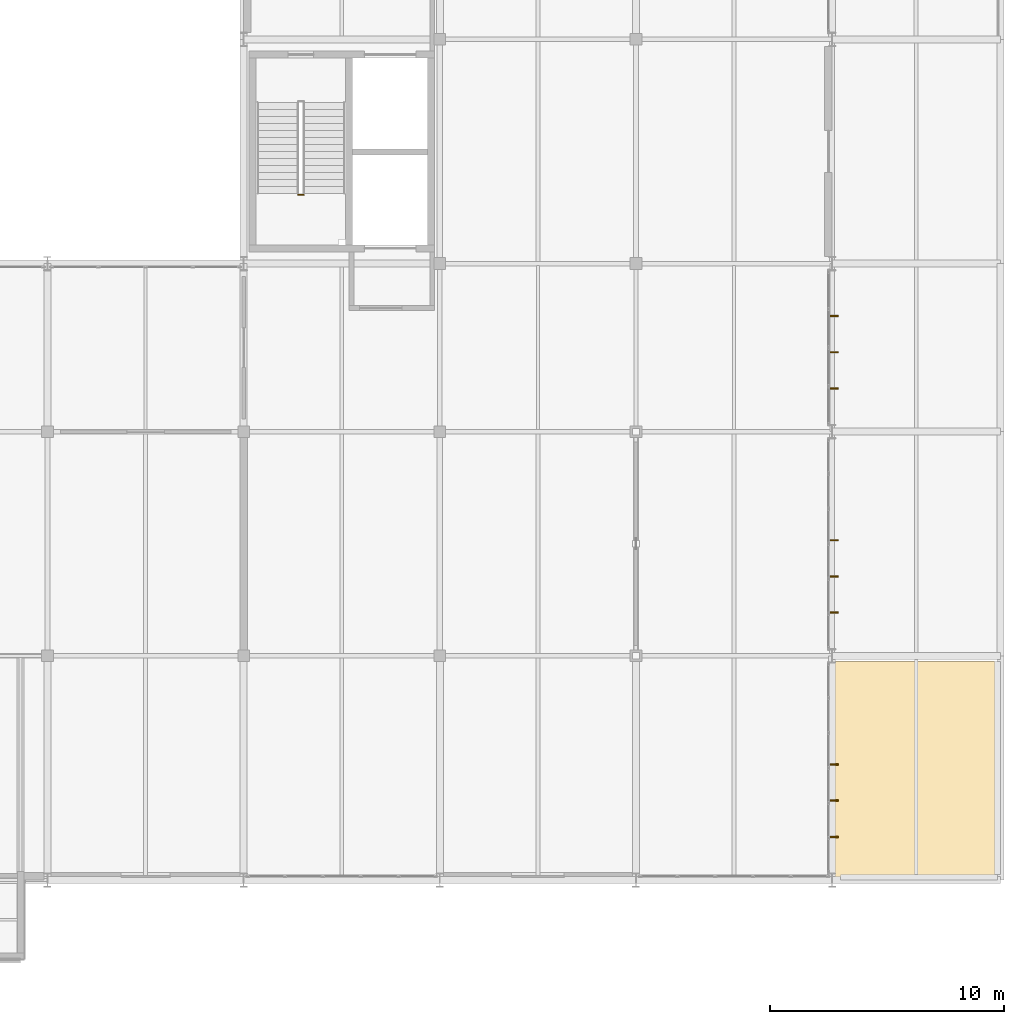
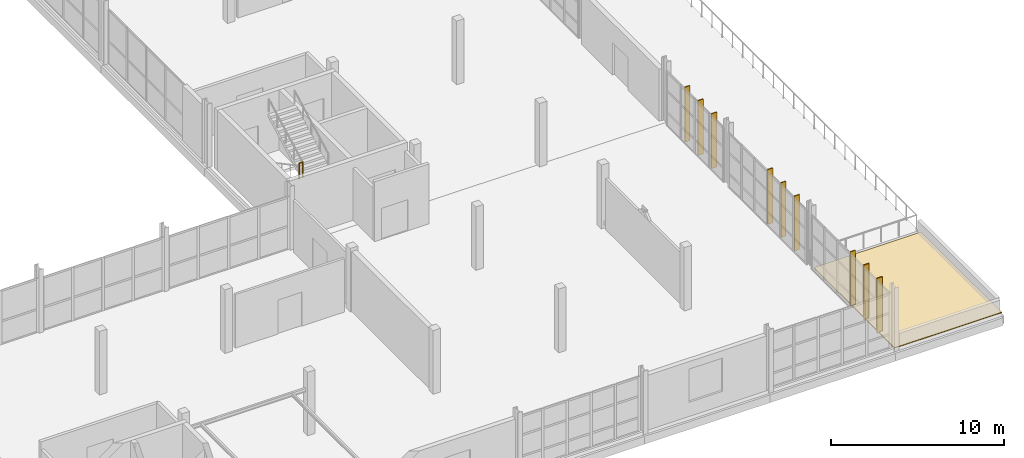
# One storey, part 106 of 109: 9 shading devices, 1 covering, 1 railing.
"""IFC4 building model written with IfcOpenShell, lengths in metres."""

from ifc_helpers import new_model, si_unit, direction, frame, origin, origin_2d, place, context, subcontext, project, spatial, polyline, rectangle, circle, outline, extrude, material, layer, layer_set, type_object, element, save


model = new_model("IFC4")

# Units and contexts
model_context = context("Model", 3, precision=1e-05, world=origin(), true_north=direction((0.0, 1.0)))
body_context = subcontext(model_context, "Body", "Model", "MODEL_VIEW")
ifc_project = project(units=[si_unit("LENGTHUNIT", "METRE"), si_unit("AREAUNIT", "SQUARE_METRE"), si_unit("VOLUMEUNIT", "CUBIC_METRE"), si_unit("PLANEANGLEUNIT", "RADIAN"), si_unit("MASSUNIT", "GRAM", prefix="KILO")], contexts=[model_context])

# Site, building, storey
site_placement = place(None, origin())
site = spatial("IfcSite", under=ifc_project, at=site_placement, CompositionType="ELEMENT")
building_placement = place(site_placement, origin())
building = spatial("IfcBuilding", under=site, at=building_placement, Name="Veltarok Museum of Natural Sciences", CompositionType="ELEMENT")
storey_placement = place(building_placement, frame((0.0, 0.0, 17.39990234375)))
storey = spatial("IfcBuildingStorey", under=building, at=storey_placement, Name="L03", CompositionType="ELEMENT", Elevation=17.39990234375)

# Covering
ifc_material_1 = material(Name="EPDM waterproofing membrane")
ifc_layer = layer(ifc_material_1, 0.06005859375)
ifc_layer_set = layer_set([ifc_layer], Name="EPDM waterproofing membrane")
covering_type = type_object("IfcCoveringType", Name="EPDM Waterproofing and Acoustic Roof Membrane 60", PredefinedType="ROOFING", material=ifc_layer_set)
covering_placement = place(storey_placement, origin())
element("IfcCovering", 1, at=covering_placement, inside=storey, type_object=covering_type, Name="Roof Waterproofing RF-V5SE", PredefinedType="ROOFING", context=body_context, shape_type="SweptSolid", body=[
    extrude(outline(polyline([(157.6201171875, 0.0), (157.6201171875, 9.35009765625), (164.800048828125, 9.35009765625), (164.800048828125, 0.0), (157.6201171875, 0.0)])), origin(), (0.0, 0.0, 1.0), 0.06005859375),
])

# Railing
ifc_material_2 = material(Name="Steel S355J2", Category="steel")
railing_type = type_object("IfcRailingType", Name="Interior Atrium and Stairwell Guardrail 1100", PredefinedType="GUARDRAIL", material=ifc_material_2)
railing_placement = place(storey_placement, frame((134.72998046875, 29.340087890625, 2.25)))
element("IfcRailing", 2, at=railing_placement, inside=storey, type_object=railing_type, Name="Landing Well Guard ST-05-L03-L1", PredefinedType="GUARDRAIL", context=body_context, shape_type="SweptSolid", body=[
    extrude(circle(Radius=0.02392578125, at=origin_2d()), frame((0.0, 0.0, 1.076171875), z_axis=(1.0, 0.0, 0.0), x_axis=(0.0, 1.0, 0.0)), (0.0, 0.0, 1.0), 0.239990234375),
    extrude(circle(Radius=0.02099609375, at=origin_2d()), origin(), (0.0, 0.0, 1.0), 1.052001953125),
    extrude(circle(Radius=0.02099609375, at=origin_2d()), frame((0.239990234375, 0.0, 0.0)), (0.0, 0.0, 1.0), 1.052001953125),
])

# Shading devices
ifc_material_3 = material(Name="Thermally broken anodised aluminium", Category="aluminium")
shading_device_type = type_object("IfcShadingDeviceType", Name="Vertical Anodised Aluminium Solar Shading Fin 350", PredefinedType="JALOUSIE", material=ifc_material_3)
for number, where, z_axis, x_axis, name in (
    (3, (157.68994140625, 1.85009765625, 0.000244140625), (0.0, 0.0, 1.0), (1.0, 0.0, 0.0), "Solar Shading Fin L03 52"),
    (4, (157.68994140625, 3.39990234375, 0.000244140625), (0.0, 0.0, 1.0), (1.0, 0.0, 0.0), "Solar Shading Fin L03 53"),
    (5, (157.68994140625, 4.949951171875, 0.000244140625), (0.0, 0.0, 1.0), (1.0, 0.0, 0.0), "Solar Shading Fin L03 54"),
    (6, (157.68994140625, 11.449951171875, 0.000244140625), (0.0, 0.0, 1.0), (1.0, 0.0, 0.0), "Solar Shading Fin L03 55"),
    (7, (157.68994140625, 13.0, 0.000244140625), (0.0, 0.0, 1.0), (1.0, 0.0, 0.0), "Solar Shading Fin L03 56"),
    (8, (157.68994140625, 14.550048828125, 0.000244140625), (0.0, 0.0, 1.0), (1.0, 0.0, 0.0), "Solar Shading Fin L03 57"),
    (9, (157.68994140625, 21.050048828125, 0.000244140625), (0.0, 0.0, 1.0), (1.0, 0.0, 0.0), "Solar Shading Fin L03 58"),
    (10, (157.68994140625, 22.60009765625, 0.000244140625), (0.0, 0.0, 1.0), (1.0, 0.0, 0.0), "Solar Shading Fin L03 59"),
    (11, (157.68994140625, 24.14990234375, 0.000244140625), (0.0, 0.0, 1.0), (1.0, 0.0, 0.0), "Solar Shading Fin L03 60"),
):
    element("IfcShadingDevice", number, at=place(storey_placement, frame(where, z_axis=z_axis, x_axis=x_axis)), inside=storey, type_object=shading_device_type, Name=name, PredefinedType="JALOUSIE", context=body_context, shape_type="SweptSolid", body=[
        extrude(rectangle(XDim=0.35009765625, YDim=0.06005859375, at=origin_2d()), origin(), (0.0, 0.0, 1.0), 3.8798828125),
    ])

save(model, "model.ifc")
